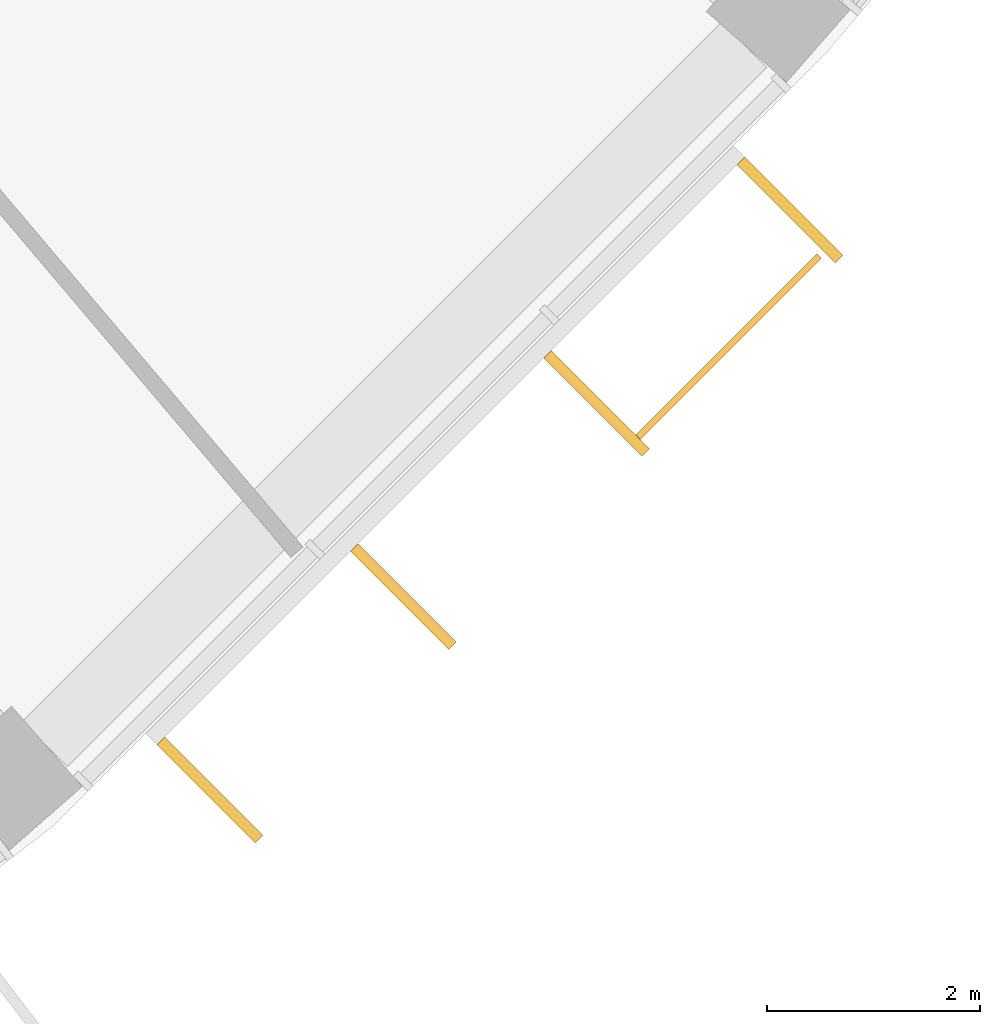
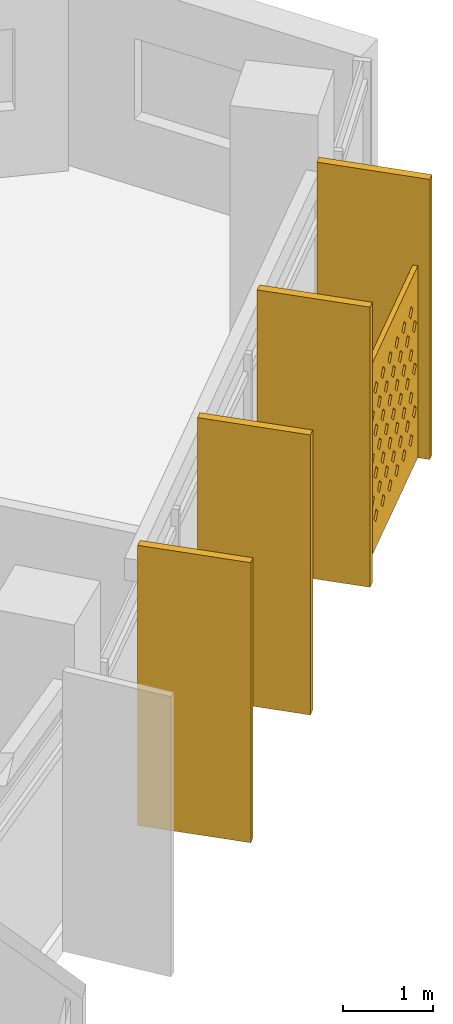
# One storey, part 27 of 27: 5 shading devices.
"""IFC4 building model written with IfcOpenShell, lengths in metres."""

from ifc_helpers import new_model, si_unit, direction, frame, origin, origin_2d, place, context, subcontext, project, spatial, polyline, rectangle, outline, extrude, material, material_profile, profile_set, type_object, element, save


model = new_model("IFC4")

# Units and contexts
model_context = context("Model", 3, precision=1e-05, world=origin(), true_north=direction((0.0, 1.0)))
body_context = subcontext(model_context, "Body", "Model", "MODEL_VIEW")
ifc_project = project(units=[si_unit("LENGTHUNIT", "METRE"), si_unit("AREAUNIT", "SQUARE_METRE"), si_unit("VOLUMEUNIT", "CUBIC_METRE"), si_unit("PLANEANGLEUNIT", "RADIAN"), si_unit("MASSUNIT", "GRAM", prefix="KILO")], contexts=[model_context])

# Site, building, storey
site_placement = place(None, origin())
site = spatial("IfcSite", under=ifc_project, at=site_placement, CompositionType="ELEMENT")
building_placement = place(site_placement, origin())
building = spatial("IfcBuilding", under=site, at=building_placement, Name="Qamariyya Broadcast Tower", CompositionType="ELEMENT")
storey_placement = place(building_placement, frame((0.0, 0.0, 280.89990234375)))
storey = spatial("IfcBuildingStorey", under=building, at=storey_placement, Name="L68", CompositionType="ELEMENT", Elevation=280.89990234375)

# Shading devices
ifc_material_1 = material(Name="Perforated glazed terracotta", Category="masonry")
ifc_material_profile_1 = material_profile(ifc_material_1, outline(polyline([(-1.199951171875, -1.300048828125), (1.199951171875, -1.300048828125), (1.199951171875, 1.300048828125), (-1.199951171875, 1.300048828125), (-1.199951171875, -1.300048828125)]), holes=[polyline([(-0.81494140625, -0.86669921875), (-0.89990234375, -0.78173828125), (-0.985107421875, -0.86669921875), (-0.89990234375, -0.95166015625), (-0.81494140625, -0.86669921875)]), polyline([(-0.514892578125, -0.86669921875), (-0.60009765625, -0.78173828125), (-0.68505859375, -0.86669921875), (-0.60009765625, -0.95166015625), (-0.514892578125, -0.86669921875)]), polyline([(-0.215087890625, -0.86669921875), (-0.300048828125, -0.78173828125), (-0.385009765625, -0.86669921875), (-0.300048828125, -0.95166015625), (-0.215087890625, -0.86669921875)]), polyline([(0.0849609375, -0.86669921875), (0.0, -0.78173828125), (-0.0849609375, -0.86669921875), (0.0, -0.95166015625), (0.0849609375, -0.86669921875)]), polyline([(0.385009765625, -0.86669921875), (0.300048828125, -0.78173828125), (0.215087890625, -0.86669921875), (0.300048828125, -0.95166015625), (0.385009765625, -0.86669921875)]), polyline([(0.68505859375, -0.86669921875), (0.60009765625, -0.78173828125), (0.514892578125, -0.86669921875), (0.60009765625, -0.95166015625), (0.68505859375, -0.86669921875)]), polyline([(0.985107421875, -0.86669921875), (0.89990234375, -0.78173828125), (0.81494140625, -0.86669921875), (0.89990234375, -0.95166015625), (0.985107421875, -0.86669921875)]), polyline([(-0.965087890625, -0.577880859375), (-1.050048828125, -0.49267578125), (-1.135009765625, -0.577880859375), (-1.050048828125, -0.662841796875), (-0.965087890625, -0.577880859375)]), polyline([(-0.6650390625, -0.577880859375), (-0.75, -0.49267578125), (-0.8349609375, -0.577880859375), (-0.75, -0.662841796875), (-0.6650390625, -0.577880859375)]), polyline([(-0.364990234375, -0.577880859375), (-0.449951171875, -0.49267578125), (-0.534912109375, -0.577880859375), (-0.449951171875, -0.662841796875), (-0.364990234375, -0.577880859375)]), polyline([(-0.06494140625, -0.577880859375), (-0.14990234375, -0.49267578125), (-0.235107421875, -0.577880859375), (-0.14990234375, -0.662841796875), (-0.06494140625, -0.577880859375)]), polyline([(0.235107421875, -0.577880859375), (0.14990234375, -0.49267578125), (0.06494140625, -0.577880859375), (0.14990234375, -0.662841796875), (0.235107421875, -0.577880859375)]), polyline([(0.534912109375, -0.577880859375), (0.449951171875, -0.49267578125), (0.364990234375, -0.577880859375), (0.449951171875, -0.662841796875), (0.534912109375, -0.577880859375)]), polyline([(0.8349609375, -0.577880859375), (0.75, -0.49267578125), (0.6650390625, -0.577880859375), (0.75, -0.662841796875), (0.8349609375, -0.577880859375)]), polyline([(1.135009765625, -0.577880859375), (1.050048828125, -0.49267578125), (0.965087890625, -0.577880859375), (1.050048828125, -0.662841796875), (1.135009765625, -0.577880859375)]), polyline([(-0.81494140625, -0.288818359375), (-0.89990234375, -0.203857421875), (-0.985107421875, -0.288818359375), (-0.89990234375, -0.373779296875), (-0.81494140625, -0.288818359375)]), polyline([(-0.514892578125, -0.288818359375), (-0.60009765625, -0.203857421875), (-0.68505859375, -0.288818359375), (-0.60009765625, -0.373779296875), (-0.514892578125, -0.288818359375)]), polyline([(-0.215087890625, -0.288818359375), (-0.300048828125, -0.203857421875), (-0.385009765625, -0.288818359375), (-0.300048828125, -0.373779296875), (-0.215087890625, -0.288818359375)]), polyline([(0.0849609375, -0.288818359375), (0.0, -0.203857421875), (-0.0849609375, -0.288818359375), (0.0, -0.373779296875), (0.0849609375, -0.288818359375)]), polyline([(0.385009765625, -0.288818359375), (0.300048828125, -0.203857421875), (0.215087890625, -0.288818359375), (0.300048828125, -0.373779296875), (0.385009765625, -0.288818359375)]), polyline([(0.68505859375, -0.288818359375), (0.60009765625, -0.203857421875), (0.514892578125, -0.288818359375), (0.60009765625, -0.373779296875), (0.68505859375, -0.288818359375)]), polyline([(0.985107421875, -0.288818359375), (0.89990234375, -0.203857421875), (0.81494140625, -0.288818359375), (0.89990234375, -0.373779296875), (0.985107421875, -0.288818359375)]), polyline([(-0.965087890625, 0.0), (-1.050048828125, 0.0849609375), (-1.135009765625, 0.0), (-1.050048828125, -0.0849609375), (-0.965087890625, 0.0)]), polyline([(-0.6650390625, 0.0), (-0.75, 0.0849609375), (-0.8349609375, 0.0), (-0.75, -0.0849609375), (-0.6650390625, 0.0)]), polyline([(-0.364990234375, 0.0), (-0.449951171875, 0.0849609375), (-0.534912109375, 0.0), (-0.449951171875, -0.0849609375), (-0.364990234375, 0.0)]), polyline([(-0.06494140625, 0.0), (-0.14990234375, 0.0849609375), (-0.235107421875, 0.0), (-0.14990234375, -0.0849609375), (-0.06494140625, 0.0)]), polyline([(0.235107421875, 0.0), (0.14990234375, 0.0849609375), (0.06494140625, 0.0), (0.14990234375, -0.0849609375), (0.235107421875, 0.0)]), polyline([(0.534912109375, 0.0), (0.449951171875, 0.0849609375), (0.364990234375, 0.0), (0.449951171875, -0.0849609375), (0.534912109375, 0.0)]), polyline([(0.8349609375, 0.0), (0.75, 0.0849609375), (0.6650390625, 0.0), (0.75, -0.0849609375), (0.8349609375, 0.0)]), polyline([(1.135009765625, 0.0), (1.050048828125, 0.0849609375), (0.965087890625, 0.0), (1.050048828125, -0.0849609375), (1.135009765625, 0.0)]), polyline([(-0.81494140625, 0.288818359375), (-0.89990234375, 0.373779296875), (-0.985107421875, 0.288818359375), (-0.89990234375, 0.203857421875), (-0.81494140625, 0.288818359375)]), polyline([(-0.514892578125, 0.288818359375), (-0.60009765625, 0.373779296875), (-0.68505859375, 0.288818359375), (-0.60009765625, 0.203857421875), (-0.514892578125, 0.288818359375)]), polyline([(-0.215087890625, 0.288818359375), (-0.300048828125, 0.373779296875), (-0.385009765625, 0.288818359375), (-0.300048828125, 0.203857421875), (-0.215087890625, 0.288818359375)]), polyline([(0.0849609375, 0.288818359375), (0.0, 0.373779296875), (-0.0849609375, 0.288818359375), (0.0, 0.203857421875), (0.0849609375, 0.288818359375)]), polyline([(0.385009765625, 0.288818359375), (0.300048828125, 0.373779296875), (0.215087890625, 0.288818359375), (0.300048828125, 0.203857421875), (0.385009765625, 0.288818359375)]), polyline([(0.68505859375, 0.288818359375), (0.60009765625, 0.373779296875), (0.514892578125, 0.288818359375), (0.60009765625, 0.203857421875), (0.68505859375, 0.288818359375)]), polyline([(0.985107421875, 0.288818359375), (0.89990234375, 0.373779296875), (0.81494140625, 0.288818359375), (0.89990234375, 0.203857421875), (0.985107421875, 0.288818359375)]), polyline([(-0.965087890625, 0.577880859375), (-1.050048828125, 0.662841796875), (-1.135009765625, 0.577880859375), (-1.050048828125, 0.49267578125), (-0.965087890625, 0.577880859375)]), polyline([(-0.6650390625, 0.577880859375), (-0.75, 0.662841796875), (-0.8349609375, 0.577880859375), (-0.75, 0.49267578125), (-0.6650390625, 0.577880859375)]), polyline([(-0.364990234375, 0.577880859375), (-0.449951171875, 0.662841796875), (-0.534912109375, 0.577880859375), (-0.449951171875, 0.49267578125), (-0.364990234375, 0.577880859375)]), polyline([(-0.06494140625, 0.577880859375), (-0.14990234375, 0.662841796875), (-0.235107421875, 0.577880859375), (-0.14990234375, 0.49267578125), (-0.06494140625, 0.577880859375)]), polyline([(0.235107421875, 0.577880859375), (0.14990234375, 0.662841796875), (0.06494140625, 0.577880859375), (0.14990234375, 0.49267578125), (0.235107421875, 0.577880859375)]), polyline([(0.534912109375, 0.577880859375), (0.449951171875, 0.662841796875), (0.364990234375, 0.577880859375), (0.449951171875, 0.49267578125), (0.534912109375, 0.577880859375)]), polyline([(0.8349609375, 0.577880859375), (0.75, 0.662841796875), (0.6650390625, 0.577880859375), (0.75, 0.49267578125), (0.8349609375, 0.577880859375)]), polyline([(1.135009765625, 0.577880859375), (1.050048828125, 0.662841796875), (0.965087890625, 0.577880859375), (1.050048828125, 0.49267578125), (1.135009765625, 0.577880859375)]), polyline([(-0.81494140625, 0.86669921875), (-0.89990234375, 0.95166015625), (-0.985107421875, 0.86669921875), (-0.89990234375, 0.78173828125), (-0.81494140625, 0.86669921875)]), polyline([(-0.514892578125, 0.86669921875), (-0.60009765625, 0.95166015625), (-0.68505859375, 0.86669921875), (-0.60009765625, 0.78173828125), (-0.514892578125, 0.86669921875)]), polyline([(-0.215087890625, 0.86669921875), (-0.300048828125, 0.95166015625), (-0.385009765625, 0.86669921875), (-0.300048828125, 0.78173828125), (-0.215087890625, 0.86669921875)]), polyline([(0.0849609375, 0.86669921875), (0.0, 0.95166015625), (-0.0849609375, 0.86669921875), (0.0, 0.78173828125), (0.0849609375, 0.86669921875)]), polyline([(0.385009765625, 0.86669921875), (0.300048828125, 0.95166015625), (0.215087890625, 0.86669921875), (0.300048828125, 0.78173828125), (0.385009765625, 0.86669921875)]), polyline([(0.68505859375, 0.86669921875), (0.60009765625, 0.95166015625), (0.514892578125, 0.86669921875), (0.60009765625, 0.78173828125), (0.68505859375, 0.86669921875)]), polyline([(0.985107421875, 0.86669921875), (0.89990234375, 0.95166015625), (0.81494140625, 0.86669921875), (0.89990234375, 0.78173828125), (0.985107421875, 0.86669921875)])]))
ifc_profile_set_1 = profile_set([ifc_material_profile_1], Name="Perforated glazed terracotta")
shading_device_type_1 = type_object("IfcShadingDeviceType", Name="Perforated terracotta screen 2400 x 2600", PredefinedType="USERDEFINED", material=ifc_profile_set_1)
shading_device_placement = place(storey_placement, frame((57.970947265625, -54.391357421875, 1.35009765625), z_axis=(0.707106781187, -0.707106781187, 0.0), x_axis=(0.707106781187, 0.707106781187, 0.0)))
element("IfcShadingDevice", 1, at=shading_device_placement, inside=storey, type_object=shading_device_type_1, Name="e-scr-L68-13-2", ObjectType="SCREEN", PredefinedType="USERDEFINED", context=body_context, shape_type="SweptSolid", body=[
    extrude(outline(polyline([(-1.199951171875, -1.300048828125), (1.199951171875, -1.300048828125), (1.199951171875, 1.300048828125), (-1.199951171875, 1.300048828125), (-1.199951171875, -1.300048828125)]), holes=[polyline([(-0.81494140625, -0.86669921875), (-0.89990234375, -0.78173828125), (-0.985107421875, -0.86669921875), (-0.89990234375, -0.95166015625), (-0.81494140625, -0.86669921875)]), polyline([(-0.514892578125, -0.86669921875), (-0.60009765625, -0.78173828125), (-0.68505859375, -0.86669921875), (-0.60009765625, -0.95166015625), (-0.514892578125, -0.86669921875)]), polyline([(-0.215087890625, -0.86669921875), (-0.300048828125, -0.78173828125), (-0.385009765625, -0.86669921875), (-0.300048828125, -0.95166015625), (-0.215087890625, -0.86669921875)]), polyline([(0.0849609375, -0.86669921875), (0.0, -0.78173828125), (-0.0849609375, -0.86669921875), (0.0, -0.95166015625), (0.0849609375, -0.86669921875)]), polyline([(0.385009765625, -0.86669921875), (0.300048828125, -0.78173828125), (0.215087890625, -0.86669921875), (0.300048828125, -0.95166015625), (0.385009765625, -0.86669921875)]), polyline([(0.68505859375, -0.86669921875), (0.60009765625, -0.78173828125), (0.514892578125, -0.86669921875), (0.60009765625, -0.95166015625), (0.68505859375, -0.86669921875)]), polyline([(0.985107421875, -0.86669921875), (0.89990234375, -0.78173828125), (0.81494140625, -0.86669921875), (0.89990234375, -0.95166015625), (0.985107421875, -0.86669921875)]), polyline([(-0.965087890625, -0.577880859375), (-1.050048828125, -0.49267578125), (-1.135009765625, -0.577880859375), (-1.050048828125, -0.662841796875), (-0.965087890625, -0.577880859375)]), polyline([(-0.6650390625, -0.577880859375), (-0.75, -0.49267578125), (-0.8349609375, -0.577880859375), (-0.75, -0.662841796875), (-0.6650390625, -0.577880859375)]), polyline([(-0.364990234375, -0.577880859375), (-0.449951171875, -0.49267578125), (-0.534912109375, -0.577880859375), (-0.449951171875, -0.662841796875), (-0.364990234375, -0.577880859375)]), polyline([(-0.06494140625, -0.577880859375), (-0.14990234375, -0.49267578125), (-0.235107421875, -0.577880859375), (-0.14990234375, -0.662841796875), (-0.06494140625, -0.577880859375)]), polyline([(0.235107421875, -0.577880859375), (0.14990234375, -0.49267578125), (0.06494140625, -0.577880859375), (0.14990234375, -0.662841796875), (0.235107421875, -0.577880859375)]), polyline([(0.534912109375, -0.577880859375), (0.449951171875, -0.49267578125), (0.364990234375, -0.577880859375), (0.449951171875, -0.662841796875), (0.534912109375, -0.577880859375)]), polyline([(0.8349609375, -0.577880859375), (0.75, -0.49267578125), (0.6650390625, -0.577880859375), (0.75, -0.662841796875), (0.8349609375, -0.577880859375)]), polyline([(1.135009765625, -0.577880859375), (1.050048828125, -0.49267578125), (0.965087890625, -0.577880859375), (1.050048828125, -0.662841796875), (1.135009765625, -0.577880859375)]), polyline([(-0.81494140625, -0.288818359375), (-0.89990234375, -0.203857421875), (-0.985107421875, -0.288818359375), (-0.89990234375, -0.373779296875), (-0.81494140625, -0.288818359375)]), polyline([(-0.514892578125, -0.288818359375), (-0.60009765625, -0.203857421875), (-0.68505859375, -0.288818359375), (-0.60009765625, -0.373779296875), (-0.514892578125, -0.288818359375)]), polyline([(-0.215087890625, -0.288818359375), (-0.300048828125, -0.203857421875), (-0.385009765625, -0.288818359375), (-0.300048828125, -0.373779296875), (-0.215087890625, -0.288818359375)]), polyline([(0.0849609375, -0.288818359375), (0.0, -0.203857421875), (-0.0849609375, -0.288818359375), (0.0, -0.373779296875), (0.0849609375, -0.288818359375)]), polyline([(0.385009765625, -0.288818359375), (0.300048828125, -0.203857421875), (0.215087890625, -0.288818359375), (0.300048828125, -0.373779296875), (0.385009765625, -0.288818359375)]), polyline([(0.68505859375, -0.288818359375), (0.60009765625, -0.203857421875), (0.514892578125, -0.288818359375), (0.60009765625, -0.373779296875), (0.68505859375, -0.288818359375)]), polyline([(0.985107421875, -0.288818359375), (0.89990234375, -0.203857421875), (0.81494140625, -0.288818359375), (0.89990234375, -0.373779296875), (0.985107421875, -0.288818359375)]), polyline([(-0.965087890625, 0.0), (-1.050048828125, 0.0849609375), (-1.135009765625, 0.0), (-1.050048828125, -0.0849609375), (-0.965087890625, 0.0)]), polyline([(-0.6650390625, 0.0), (-0.75, 0.0849609375), (-0.8349609375, 0.0), (-0.75, -0.0849609375), (-0.6650390625, 0.0)]), polyline([(-0.364990234375, 0.0), (-0.449951171875, 0.0849609375), (-0.534912109375, 0.0), (-0.449951171875, -0.0849609375), (-0.364990234375, 0.0)]), polyline([(-0.06494140625, 0.0), (-0.14990234375, 0.0849609375), (-0.235107421875, 0.0), (-0.14990234375, -0.0849609375), (-0.06494140625, 0.0)]), polyline([(0.235107421875, 0.0), (0.14990234375, 0.0849609375), (0.06494140625, 0.0), (0.14990234375, -0.0849609375), (0.235107421875, 0.0)]), polyline([(0.534912109375, 0.0), (0.449951171875, 0.0849609375), (0.364990234375, 0.0), (0.449951171875, -0.0849609375), (0.534912109375, 0.0)]), polyline([(0.8349609375, 0.0), (0.75, 0.0849609375), (0.6650390625, 0.0), (0.75, -0.0849609375), (0.8349609375, 0.0)]), polyline([(1.135009765625, 0.0), (1.050048828125, 0.0849609375), (0.965087890625, 0.0), (1.050048828125, -0.0849609375), (1.135009765625, 0.0)]), polyline([(-0.81494140625, 0.288818359375), (-0.89990234375, 0.373779296875), (-0.985107421875, 0.288818359375), (-0.89990234375, 0.203857421875), (-0.81494140625, 0.288818359375)]), polyline([(-0.514892578125, 0.288818359375), (-0.60009765625, 0.373779296875), (-0.68505859375, 0.288818359375), (-0.60009765625, 0.203857421875), (-0.514892578125, 0.288818359375)]), polyline([(-0.215087890625, 0.288818359375), (-0.300048828125, 0.373779296875), (-0.385009765625, 0.288818359375), (-0.300048828125, 0.203857421875), (-0.215087890625, 0.288818359375)]), polyline([(0.0849609375, 0.288818359375), (0.0, 0.373779296875), (-0.0849609375, 0.288818359375), (0.0, 0.203857421875), (0.0849609375, 0.288818359375)]), polyline([(0.385009765625, 0.288818359375), (0.300048828125, 0.373779296875), (0.215087890625, 0.288818359375), (0.300048828125, 0.203857421875), (0.385009765625, 0.288818359375)]), polyline([(0.68505859375, 0.288818359375), (0.60009765625, 0.373779296875), (0.514892578125, 0.288818359375), (0.60009765625, 0.203857421875), (0.68505859375, 0.288818359375)]), polyline([(0.985107421875, 0.288818359375), (0.89990234375, 0.373779296875), (0.81494140625, 0.288818359375), (0.89990234375, 0.203857421875), (0.985107421875, 0.288818359375)]), polyline([(-0.965087890625, 0.577880859375), (-1.050048828125, 0.662841796875), (-1.135009765625, 0.577880859375), (-1.050048828125, 0.49267578125), (-0.965087890625, 0.577880859375)]), polyline([(-0.6650390625, 0.577880859375), (-0.75, 0.662841796875), (-0.8349609375, 0.577880859375), (-0.75, 0.49267578125), (-0.6650390625, 0.577880859375)]), polyline([(-0.364990234375, 0.577880859375), (-0.449951171875, 0.662841796875), (-0.534912109375, 0.577880859375), (-0.449951171875, 0.49267578125), (-0.364990234375, 0.577880859375)]), polyline([(-0.06494140625, 0.577880859375), (-0.14990234375, 0.662841796875), (-0.235107421875, 0.577880859375), (-0.14990234375, 0.49267578125), (-0.06494140625, 0.577880859375)]), polyline([(0.235107421875, 0.577880859375), (0.14990234375, 0.662841796875), (0.06494140625, 0.577880859375), (0.14990234375, 0.49267578125), (0.235107421875, 0.577880859375)]), polyline([(0.534912109375, 0.577880859375), (0.449951171875, 0.662841796875), (0.364990234375, 0.577880859375), (0.449951171875, 0.49267578125), (0.534912109375, 0.577880859375)]), polyline([(0.8349609375, 0.577880859375), (0.75, 0.662841796875), (0.6650390625, 0.577880859375), (0.75, 0.49267578125), (0.8349609375, 0.577880859375)]), polyline([(1.135009765625, 0.577880859375), (1.050048828125, 0.662841796875), (0.965087890625, 0.577880859375), (1.050048828125, 0.49267578125), (1.135009765625, 0.577880859375)]), polyline([(-0.81494140625, 0.86669921875), (-0.89990234375, 0.95166015625), (-0.985107421875, 0.86669921875), (-0.89990234375, 0.78173828125), (-0.81494140625, 0.86669921875)]), polyline([(-0.514892578125, 0.86669921875), (-0.60009765625, 0.95166015625), (-0.68505859375, 0.86669921875), (-0.60009765625, 0.78173828125), (-0.514892578125, 0.86669921875)]), polyline([(-0.215087890625, 0.86669921875), (-0.300048828125, 0.95166015625), (-0.385009765625, 0.86669921875), (-0.300048828125, 0.78173828125), (-0.215087890625, 0.86669921875)]), polyline([(0.0849609375, 0.86669921875), (0.0, 0.95166015625), (-0.0849609375, 0.86669921875), (0.0, 0.78173828125), (0.0849609375, 0.86669921875)]), polyline([(0.385009765625, 0.86669921875), (0.300048828125, 0.95166015625), (0.215087890625, 0.86669921875), (0.300048828125, 0.78173828125), (0.385009765625, 0.86669921875)]), polyline([(0.68505859375, 0.86669921875), (0.60009765625, 0.95166015625), (0.514892578125, 0.86669921875), (0.60009765625, 0.78173828125), (0.68505859375, 0.86669921875)]), polyline([(0.985107421875, 0.86669921875), (0.89990234375, 0.95166015625), (0.81494140625, 0.86669921875), (0.89990234375, 0.78173828125), (0.985107421875, 0.86669921875)])]), origin(), (0.0, 0.0, 1.0), 0.06005859375),
])
ifc_material_2 = material(Name="Glazed terracotta", Category="masonry")
ifc_material_profile_2 = material_profile(ifc_material_2, rectangle(XDim=1.300048828125, YDim=0.10009765625, at=origin_2d()))
ifc_profile_set_2 = profile_set([ifc_material_profile_2], Name="Glazed terracotta")
shading_device_type_2 = type_object("IfcShadingDeviceType", Name="Terracotta fin 100 x 1300", PredefinedType="USERDEFINED", material=ifc_profile_set_2)
for number, where, z_axis, x_axis, name in (
    (2, (53.13134765625, -58.56640625, 0.0), (0.0, 0.0, 1.0), (0.707106781187, -0.707106781187, 0.0), "e-fin-L68-13-0"),
    (3, (54.943115234375, -56.754638671875, 0.0), (0.0, 0.0, 1.0), (0.707106781187, -0.707106781187, 0.0), "e-fin-L68-13-1"),
    (4, (56.754638671875, -54.943115234375, 0.0), (0.0, 0.0, 1.0), (0.707106781187, -0.707106781187, 0.0), "e-fin-L68-13-2"),
    (5, (58.56640625, -53.13134765625, 0.0), (0.0, 0.0, 1.0), (0.707106781187, -0.707106781187, 0.0), "e-fin-L68-13-3"),
):
    element("IfcShadingDevice", number, at=place(storey_placement, frame(where, z_axis=z_axis, x_axis=x_axis)), inside=storey, type_object=shading_device_type_2, Name=name, ObjectType="FIN", PredefinedType="USERDEFINED", context=body_context, shape_type="SweptSolid", body=[
        extrude(rectangle(XDim=1.300048828125, YDim=0.10009765625, at=origin_2d()), origin(), (0.0, 0.0, 1.0), 3.800048828125),
    ])

save(model, "model.ifc")
